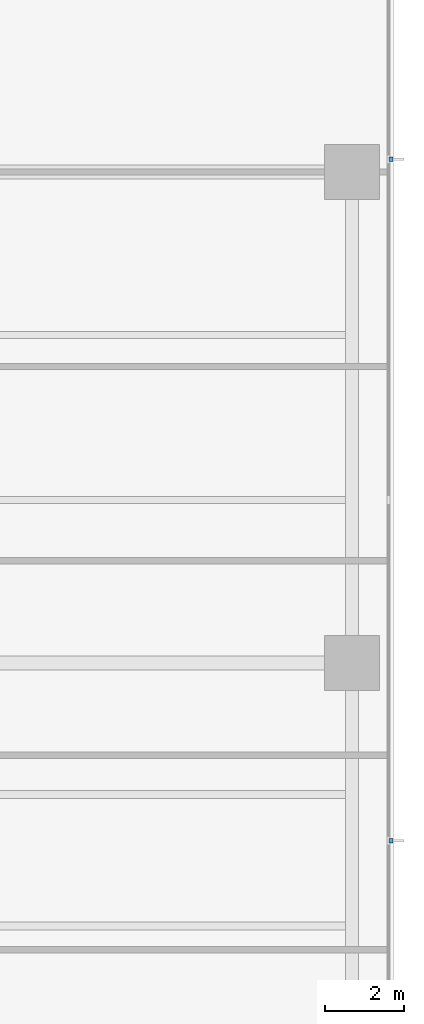
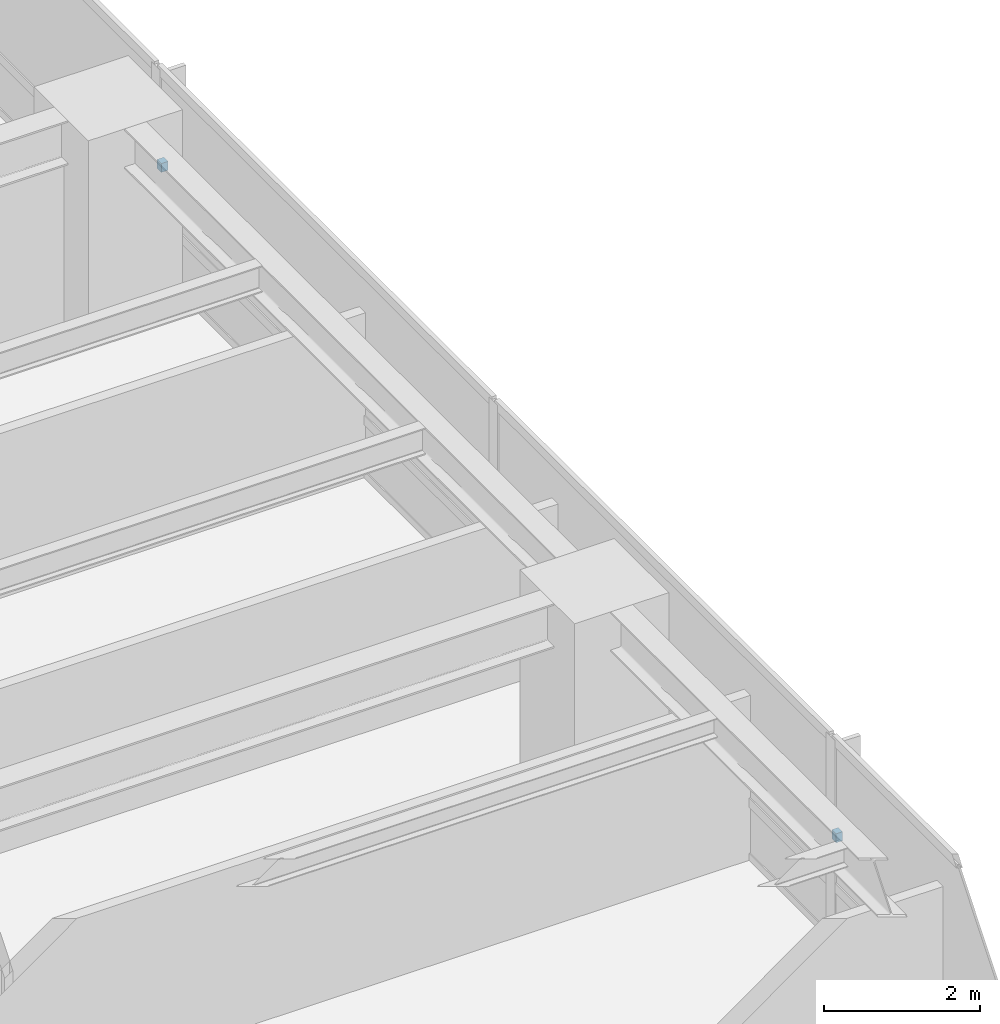
# One storey, part 13 of 17: 2 discrete accessories.
"""IFC4 building model written with IfcOpenShell, lengths in metres."""

from ifc_helpers import new_model, si_unit, direction, frame, origin, place, context, subcontext, project, spatial, polyline, outline, extrude, material, type_object, element, save


model = new_model("IFC4")

# Units and contexts
model_context = context("Model", 3, precision=1e-05, world=origin(), true_north=direction((0.0, 1.0)))
body_context = subcontext(model_context, "Body", "Model", "MODEL_VIEW")
ifc_project = project(units=[si_unit("LENGTHUNIT", "METRE"), si_unit("AREAUNIT", "SQUARE_METRE"), si_unit("VOLUMEUNIT", "CUBIC_METRE"), si_unit("PLANEANGLEUNIT", "RADIAN"), si_unit("MASSUNIT", "GRAM", prefix="KILO")], contexts=[model_context])

# Site, building, storey
site_placement = place(None, origin())
site = spatial("IfcSite", under=ifc_project, at=site_placement, CompositionType="ELEMENT")
building_placement = place(site_placement, origin())
building = spatial("IfcBuilding", under=site, at=building_placement, Name="Qalmaran Belvedere Hotel", CompositionType="ELEMENT")
storey_placement = place(building_placement, frame((0.0, 0.0, 40.39990234375)))
storey = spatial("IfcBuildingStorey", under=building, at=storey_placement, Name="L09", CompositionType="ELEMENT", Elevation=40.39990234375)

# Discrete accessories
ifc_material = material(Name="Stainless Steel 1.4401", Category="steel")
discrete_accessory_type = type_object("IfcDiscreteAccessoryType", Name="BRK-FIN-SS316", PredefinedType="BRACKET", material=ifc_material)
discrete_accessory_1_placement = place(storey_placement, frame((0.0, 0.0, 1.56005859375)))
element("IfcDiscreteAccessory", 1, at=discrete_accessory_1_placement, inside=storey, type_object=discrete_accessory_type, Name="L09 Fin Bracket 1", PredefinedType="BRACKET", context=body_context, shape_type="SweptSolid", body=[
    extrude(outline(polyline([(61.695068359375, 15.919921875), (61.79248046875, 15.919921875), (61.79248046875, 16.030029296875), (61.695068359375, 16.030029296875), (61.695068359375, 15.919921875)])), origin(), (0.0, 0.0, 1.0), 0.14013671875),
])
discrete_accessory_2_placement = place(storey_placement, frame((0.0, 0.0, 1.56005859375)))
element("IfcDiscreteAccessory", 2, at=discrete_accessory_2_placement, inside=storey, type_object=discrete_accessory_type, Name="L09 Fin Bracket 3", PredefinedType="BRACKET", context=body_context, shape_type="SweptSolid", body=[
    extrude(outline(polyline([(61.695068359375, 33.27001953125), (61.79248046875, 33.27001953125), (61.79248046875, 33.3798828125), (61.695068359375, 33.3798828125), (61.695068359375, 33.27001953125)])), origin(), (0.0, 0.0, 1.0), 0.14013671875),
])

save(model, "model.ifc")
